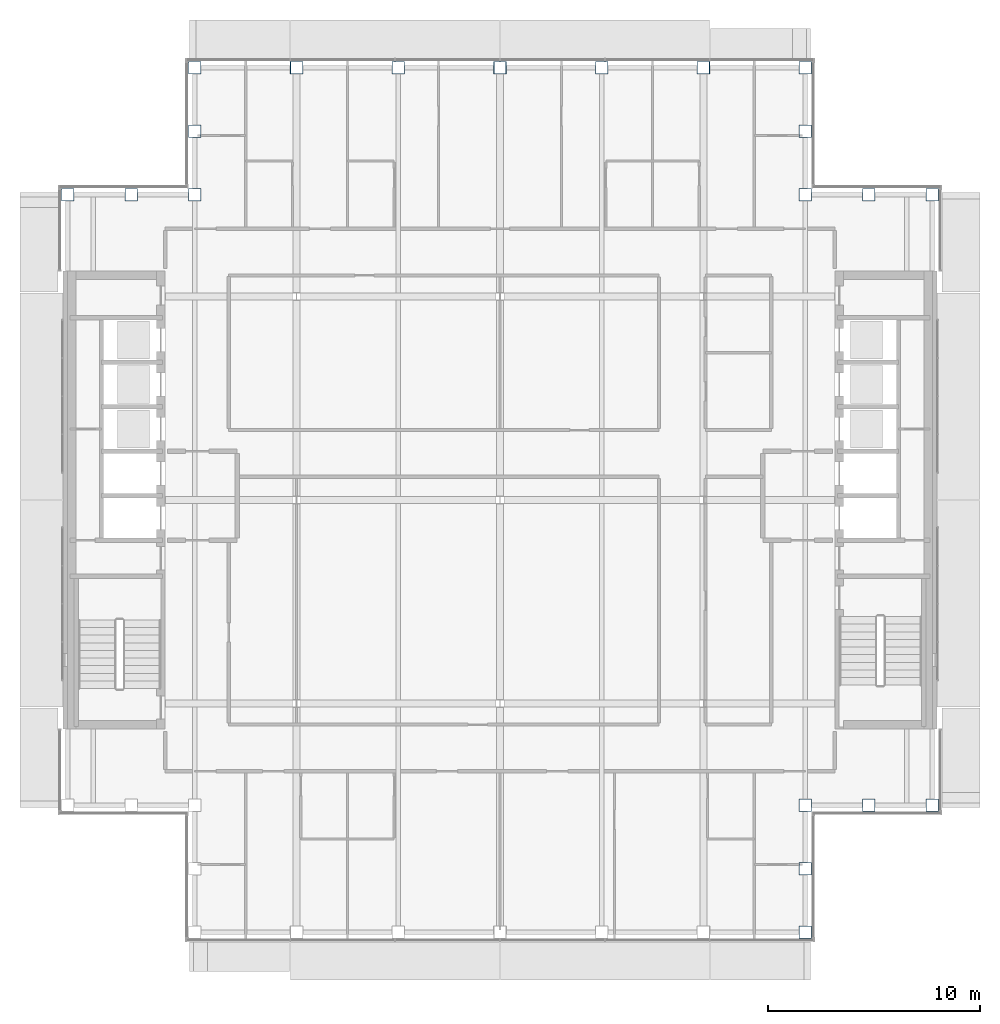
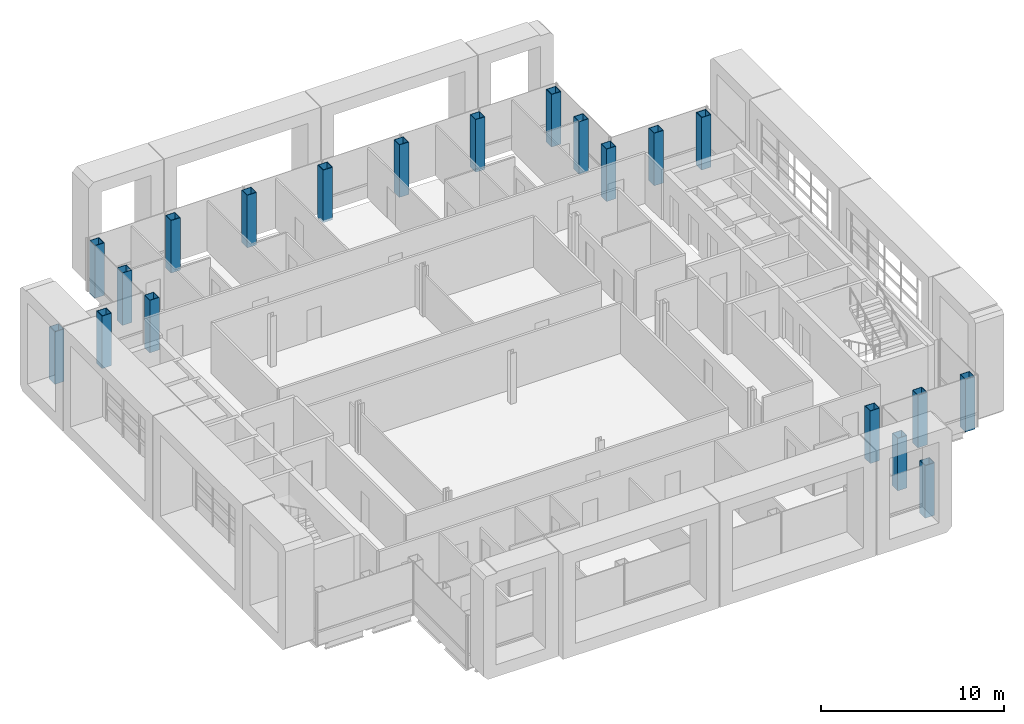
# One storey, part 2 of 21: 20 columns.
"""IFC4 building model written with IfcOpenShell, lengths in metres."""

from ifc_helpers import new_model, si_unit, direction, frame, origin, origin_2d, place, context, subcontext, project, spatial, hollow_rectangle, extrude, material, material_profile, profile_set, type_object, element, save


model = new_model("IFC4")

# Units and contexts
model_context = context("Model", 3, precision=1e-05, world=origin(), true_north=direction((0.0, 1.0)))
body_context = subcontext(model_context, "Body", "Model", "MODEL_VIEW")
ifc_project = project(units=[si_unit("LENGTHUNIT", "METRE"), si_unit("AREAUNIT", "SQUARE_METRE"), si_unit("VOLUMEUNIT", "CUBIC_METRE"), si_unit("PLANEANGLEUNIT", "RADIAN"), si_unit("MASSUNIT", "GRAM", prefix="KILO")], contexts=[model_context])

# Site, building, storey
site_placement = place(None, origin())
site = spatial("IfcSite", under=ifc_project, at=site_placement, CompositionType="ELEMENT")
building_placement = place(site_placement, origin())
building = spatial("IfcBuilding", under=site, at=building_placement, Name="Cobrizo Arcos Hotel Tower", CompositionType="ELEMENT")
storey_placement = place(building_placement, frame((0.0, 0.0, 248.0)))
storey = spatial("IfcBuildingStorey", under=building, at=storey_placement, Name="L65", CompositionType="ELEMENT", Elevation=248.0)

# Columns
ifc_material = material(Name="Steel ASTM A572 Grade 50", Category="steel")
ifc_material_profile = material_profile(ifc_material, hollow_rectangle(XDim=0.60009765625, YDim=0.60009765625, WallThickness=0.030029296875, at=origin_2d()), Name="BOX 600X600X30")
ifc_profile_set = profile_set([ifc_material_profile], Name="Steel ASTM A572 Grade 50")
column_type = type_object("IfcColumnType", Name="BOX 600X600X30 column", PredefinedType="COLUMN", material=ifc_profile_set)
for number, where, z_axis, x_axis, name in (
    (1, (-14.39990234375, 20.39990234375, -0.14990234375), (0.0, 0.0, 1.0), (1.0, 0.0, 0.0), "Perimeter column C12, L65, no. 00"),
    (2, (-9.60009765625, 20.39990234375, -0.14990234375), (0.0, 0.0, 1.0), (1.0, 0.0, 0.0), "Perimeter column C12, L65, no. 02"),
    (3, (-4.800048828125, 20.39990234375, -0.14990234375), (0.0, 0.0, 1.0), (1.0, 0.0, 0.0), "Perimeter column C12, L65, no. 04"),
    (4, (0.0, 20.39990234375, -0.14990234375), (0.0, 0.0, 1.0), (1.0, 0.0, 0.0), "Perimeter column C12, L65, no. 06"),
    (5, (4.800048828125, 20.39990234375, -0.14990234375), (0.0, 0.0, 1.0), (1.0, 0.0, 0.0), "Perimeter column C12, L65, no. 08"),
    (6, (9.60009765625, 20.39990234375, -0.14990234375), (0.0, 0.0, 1.0), (1.0, 0.0, 0.0), "Perimeter column C12, L65, no. 10"),
    (7, (14.39990234375, 20.39990234375, -0.14990234375), (0.0, 0.0, 1.0), (1.0, 0.0, 0.0), "Perimeter column C12, L65, no. 12"),
    (8, (14.39990234375, -20.39990234375, -0.14990234375), (0.0, 0.0, 1.0), (1.0, 0.0, 0.0), "Perimeter column C12, L65, no. 13"),
    (9, (20.39990234375, -14.39990234375, -0.14990234375), (0.0, 0.0, 1.0), (1.0, 0.0, 0.0), "Perimeter column C12, L65, no. 14"),
    (10, (20.39990234375, 14.39990234375, -0.14990234375), (0.0, 0.0, 1.0), (1.0, 0.0, 0.0), "Perimeter column C12, L65, no. 16"),
    (11, (-20.39990234375, 14.39990234375, -0.14990234375), (0.0, 0.0, 1.0), (1.0, 0.0, 0.0), "Perimeter column C12, L65, no. 17"),
    (12, (-14.39990234375, 14.39990234375, -0.14990234375), (0.0, 0.0, 1.0), (1.0, 0.0, 0.0), "Perimeter column C12, L65, no. 21"),
    (13, (-14.39990234375, 17.39990234375, -0.14990234375), (0.0, 0.0, 1.0), (1.0, 0.0, 0.0), "Perimeter column C12, L65, no. 22"),
    (14, (-17.39990234375, 14.39990234375, -0.14990234375), (0.0, 0.0, 1.0), (1.0, 0.0, 0.0), "Perimeter column C12, L65, no. 23"),
    (15, (14.39990234375, -14.39990234375, -0.14990234375), (0.0, 0.0, 1.0), (1.0, 0.0, 0.0), "Perimeter column C12, L65, no. 24"),
    (16, (14.39990234375, -17.39990234375, -0.14990234375), (0.0, 0.0, 1.0), (1.0, 0.0, 0.0), "Perimeter column C12, L65, no. 25"),
    (17, (17.39990234375, -14.39990234375, -0.14990234375), (0.0, 0.0, 1.0), (1.0, 0.0, 0.0), "Perimeter column C12, L65, no. 26"),
    (18, (14.39990234375, 14.39990234375, -0.14990234375), (0.0, 0.0, 1.0), (1.0, 0.0, 0.0), "Perimeter column C12, L65, no. 27"),
    (19, (14.39990234375, 17.39990234375, -0.14990234375), (0.0, 0.0, 1.0), (1.0, 0.0, 0.0), "Perimeter column C12, L65, no. 28"),
    (20, (17.39990234375, 14.39990234375, -0.14990234375), (0.0, 0.0, 1.0), (1.0, 0.0, 0.0), "Perimeter column C12, L65, no. 29"),
):
    element("IfcColumn", number, at=place(storey_placement, frame(where, z_axis=z_axis, x_axis=x_axis)), inside=storey, type_object=column_type, Name=name, PredefinedType="COLUMN", context=body_context, shape_type="SweptSolid", body=[
        extrude(hollow_rectangle(XDim=0.60009765625, YDim=0.60009765625, WallThickness=0.030029296875, at=origin_2d()), origin(), (0.0, 0.0, 1.0), 3.5),
    ])

save(model, "model.ifc")
